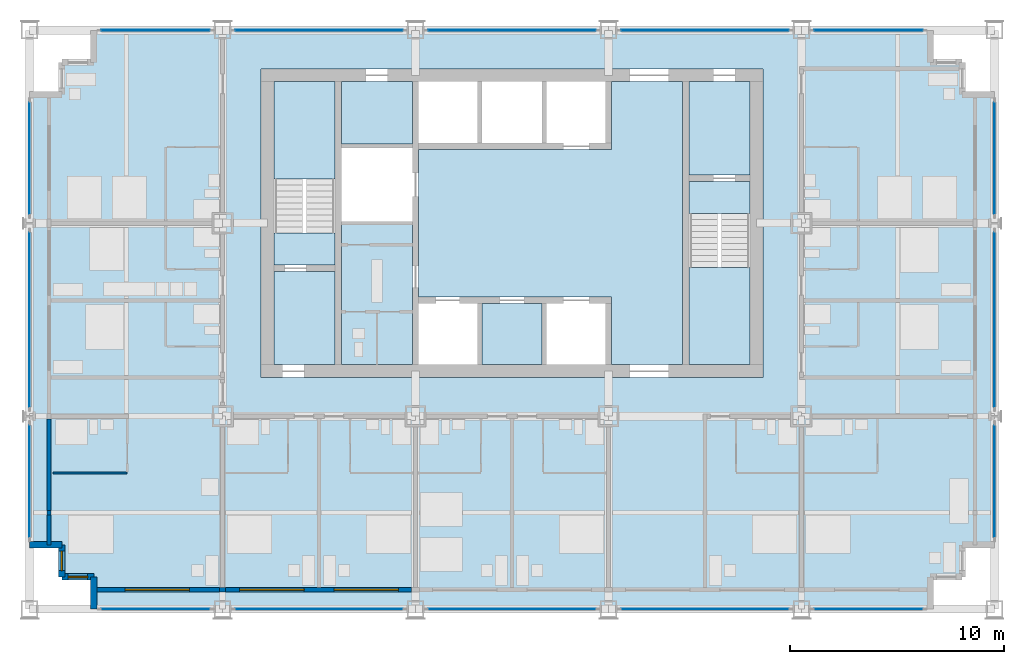
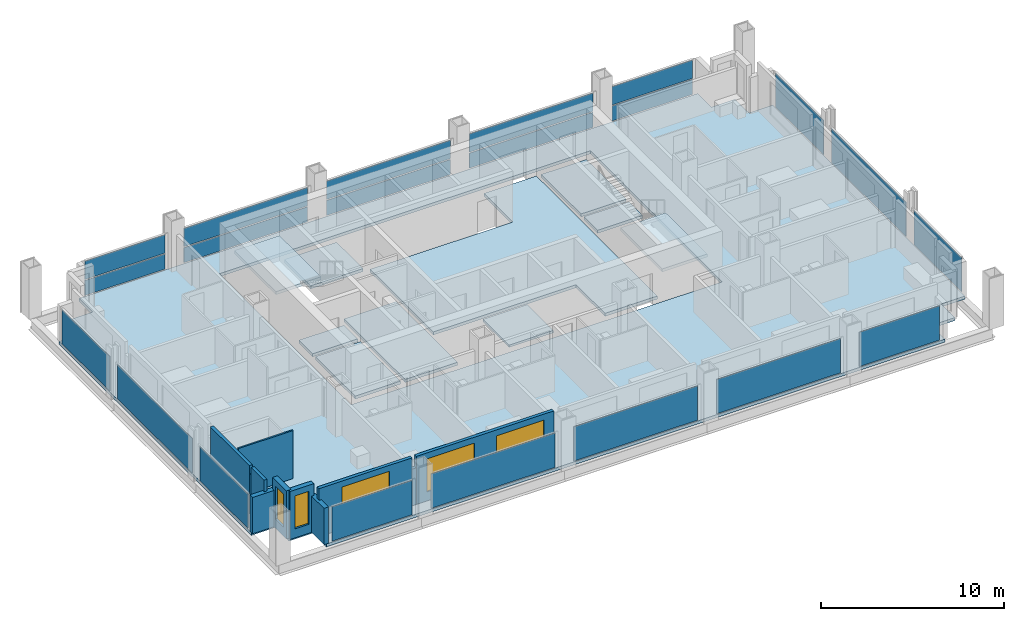
# One storey, part 6 of 13: 21 plates, 11 slabs, 11 walls, 5 windows, 5 openings, 18 elements without a shape of their own.
"""IFC4 building model written with IfcOpenShell, lengths in metres."""

from ifc_helpers import new_model, si_unit, direction, frame, frame_2d, origin, origin_2d, place, context, subcontext, project, spatial, polyline, rectangle, outline, extrude, material, layer, layer_set, type_object, element, fill, aggregate, save


model = new_model("IFC4")

# Units and contexts
model_context = context("Model", 3, precision=1e-05, world=origin(), true_north=direction((0.0, 1.0)))
body_context = subcontext(model_context, "Body", "Model", "MODEL_VIEW")
ifc_project = project(units=[si_unit("LENGTHUNIT", "METRE"), si_unit("AREAUNIT", "SQUARE_METRE"), si_unit("VOLUMEUNIT", "CUBIC_METRE"), si_unit("PLANEANGLEUNIT", "RADIAN"), si_unit("MASSUNIT", "GRAM", prefix="KILO")], contexts=[model_context])

# Site, building, storey
site_placement = place(None, origin())
site = spatial("IfcSite", under=ifc_project, at=site_placement, CompositionType="ELEMENT")
building_placement = place(site_placement, origin())
building = spatial("IfcBuilding", under=site, at=building_placement, Name="Loomwork Tower", CompositionType="ELEMENT")
storey_placement = place(building_placement, frame((0.0, 0.0, 163.800048828125)))
storey = spatial("IfcBuildingStorey", under=building, at=storey_placement, Name="L44", CompositionType="ELEMENT", Elevation=163.800048828125)

# Slabs
ifc_material_1 = material(Name="Concrete 5000 psi (34 MPa) on composite metal deck", Category="concrete")
ifc_layer_1 = layer(ifc_material_1, 0.199951171875)
ifc_layer_set_1 = layer_set([ifc_layer_1], Name="Floor slab 200")
slab_type_1 = type_object("IfcSlabType", Name="Floor slab 200", PredefinedType="FLOOR", material=ifc_layer_set_1)
slab_1_placement = place(storey_placement, frame((0.0, 0.0, -0.199951171875)))
element("IfcSlab", 1, at=slab_1_placement, inside=storey, type_object=slab_type_1, Name="Floor slab L44", PredefinedType="FLOOR", context=body_context, shape_type="SweptSolid", body=[
    extrude(outline(polyline([(3.0, 1.5), (1.5, 1.5), (1.5, 3.0), (0.0, 3.0), (0.0, 24.0), (1.5, 24.0), (1.5, 25.5), (3.0, 25.5), (3.0, 27.0), (42.0, 27.0), (42.0, 25.5), (43.5, 25.5), (43.5, 24.0), (45.0, 24.0), (45.0, 3.0), (43.5, 3.0), (43.5, 1.5), (42.0, 1.5), (42.0, 0.0), (3.0, 0.0), (3.0, 1.5)]), holes=[polyline([(10.800048828125, 11.39990234375), (10.800048828125, 11.39990234375), (10.800048828125, 10.800048828125), (34.199951171875, 10.800048828125), (34.199951171875, 11.39990234375), (34.199951171875, 11.39990234375), (34.199951171875, 24.60009765625), (34.199951171875, 25.199951171875), (10.800048828125, 25.199951171875), (10.800048828125, 24.60009765625), (10.800048828125, 11.39990234375)])]), origin(), (0.0, 0.0, 1.0), 0.199951171875),
])
slab_2_placement = place(storey_placement, frame((0.0, 0.0, -0.199951171875)))
element("IfcSlab", 2, at=slab_2_placement, inside=storey, type_object=slab_type_1, Name="Floor slab L44", PredefinedType="FLOOR", context=body_context, shape_type="SweptSolid", body=[
    extrude(outline(polyline([(30.449951171875, 24.60009765625), (30.449951171875, 11.39990234375), (27.14990234375, 11.39990234375), (27.14990234375, 14.25), (27.14990234375, 14.550048828125), (18.14990234375, 14.550048828125), (18.14990234375, 21.449951171875), (27.14990234375, 21.449951171875), (27.14990234375, 21.75), (27.14990234375, 24.60009765625), (30.449951171875, 24.60009765625)])), origin(), (0.0, 0.0, 1.0), 0.199951171875),
])
slab_3_placement = place(storey_placement, frame((0.0, 0.0, -0.199951171875)))
element("IfcSlab", 3, at=slab_3_placement, inside=storey, type_object=slab_type_1, Name="Floor slab L44", PredefinedType="FLOOR", context=body_context, shape_type="SweptSolid", body=[
    extrude(outline(polyline([(14.550048828125, 11.39990234375), (14.550048828125, 18.074951171875), (17.85009765625, 18.074951171875), (17.85009765625, 11.39990234375), (14.550048828125, 11.39990234375)])), origin(), (0.0, 0.0, 1.0), 0.199951171875),
])
slab_4_placement = place(storey_placement, frame((0.0, 0.0, -0.199951171875)))
element("IfcSlab", 4, at=slab_4_placement, inside=storey, type_object=slab_type_1, Name="Floor slab L44", PredefinedType="FLOOR", context=body_context, shape_type="SweptSolid", body=[
    extrude(outline(polyline([(33.60009765625, 20.25), (30.75, 20.25), (30.75, 24.60009765625), (33.60009765625, 24.60009765625), (33.60009765625, 20.25)])), origin(), (0.0, 0.0, 1.0), 0.199951171875),
])
slab_5_placement = place(storey_placement, frame((0.0, 0.0, -0.199951171875)))
element("IfcSlab", 5, at=slab_5_placement, inside=storey, type_object=slab_type_1, Name="Floor slab L44", PredefinedType="FLOOR", context=body_context, shape_type="SweptSolid", body=[
    extrude(outline(polyline([(14.25, 15.75), (14.25, 11.39990234375), (11.39990234375, 11.39990234375), (11.39990234375, 15.75), (14.25, 15.75)])), origin(), (0.0, 0.0, 1.0), 0.199951171875),
])
slab_6_placement = place(storey_placement, frame((0.0, 0.0, -0.199951171875)))
element("IfcSlab", 6, at=slab_6_placement, inside=storey, type_object=slab_type_1, Name="Floor slab L44", PredefinedType="FLOOR", context=body_context, shape_type="SweptSolid", body=[
    extrude(outline(polyline([(14.550048828125, 21.699951171875), (14.550048828125, 24.60009765625), (17.85009765625, 24.60009765625), (17.85009765625, 21.699951171875), (14.550048828125, 21.699951171875)])), origin(), (0.0, 0.0, 1.0), 0.199951171875),
])

# Curtain wall, plate
ifc_material_2 = material(Name="Aluminium curtain wall frame", Category="aluminium")
curtain_wall_type_1 = type_object("IfcCurtainWallType", Name="Outer skin glazing hotel", PredefinedType="NOTDEFINED", material=ifc_material_2)
curtain_wall_1_placement = place(storey_placement, origin())
curtain_wall_1 = element("IfcCurtainWall", 7, at=curtain_wall_1_placement, inside=storey, type_object=curtain_wall_type_1, Name="Outer skin glazing hotel cw/S-0", PredefinedType="NOTDEFINED")
ifc_material_3 = material(Name="Clear laminated glass", Category="glass")
ifc_layer_2 = layer(ifc_material_3, 0.02392578125)
ifc_layer_set_2 = layer_set([ifc_layer_2], Name="Outer skin glazing hotel panel")
plate_type_1 = type_object("IfcPlateType", Name="Outer skin glazing hotel panel", PredefinedType="CURTAIN_PANEL", material=ifc_layer_set_2)
plate_1_placement = place(storey_placement, frame((5.875, 0.0, 0.06494140625), z_axis=(0.0, 0.0, 1.0), x_axis=(1.0, 0.0, 0.0)))
plate_1 = element("IfcPlate", 8, at=plate_1_placement, type_object=plate_type_1, Name="CW1 panel 1.1", PredefinedType="CURTAIN_PANEL", context=body_context, shape_type="SweptSolid", body=[
    extrude(rectangle(XDim=5.050048828125, YDim=0.02392578125, at=origin_2d()), origin(), (0.0, 0.0, 1.0), 2.290283203125),
])
aggregate(curtain_wall_1, [plate_1])

curtain_wall_2_placement = place(storey_placement, origin())
curtain_wall_2 = element("IfcCurtainWall", 9, at=curtain_wall_2_placement, inside=storey, type_object=curtain_wall_type_1, Name="Outer skin glazing hotel cw/S-9", PredefinedType="NOTDEFINED")
plate_2_placement = place(storey_placement, frame((13.5, 0.0, 0.06494140625), z_axis=(0.0, 0.0, 1.0), x_axis=(1.0, 0.0, 0.0)))
plate_2 = element("IfcPlate", 10, at=plate_2_placement, type_object=plate_type_1, Name="CW1 panel 1.1", PredefinedType="CURTAIN_PANEL", context=body_context, shape_type="SweptSolid", body=[
    extrude(rectangle(XDim=7.800048828125, YDim=0.02392578125, at=origin_2d()), origin(), (0.0, 0.0, 1.0), 2.290283203125),
])
aggregate(curtain_wall_2, [plate_2])

curtain_wall_3_placement = place(storey_placement, origin())
curtain_wall_3 = element("IfcCurtainWall", 11, at=curtain_wall_3_placement, inside=storey, type_object=curtain_wall_type_1, Name="Outer skin glazing hotel cw/S-18", PredefinedType="NOTDEFINED")
plate_3_placement = place(storey_placement, frame((22.5, 0.0, 0.06494140625), z_axis=(0.0, 0.0, 1.0), x_axis=(1.0, 0.0, 0.0)))
plate_3 = element("IfcPlate", 12, at=plate_3_placement, type_object=plate_type_1, Name="CW1 panel 1.1", PredefinedType="CURTAIN_PANEL", context=body_context, shape_type="SweptSolid", body=[
    extrude(rectangle(XDim=7.800048828125, YDim=0.02392578125, at=origin_2d()), origin(), (0.0, 0.0, 1.0), 2.290283203125),
])
aggregate(curtain_wall_3, [plate_3])

curtain_wall_4_placement = place(storey_placement, origin())
curtain_wall_4 = element("IfcCurtainWall", 13, at=curtain_wall_4_placement, inside=storey, type_object=curtain_wall_type_1, Name="Outer skin glazing hotel cw/S-27", PredefinedType="NOTDEFINED")
plate_4_placement = place(storey_placement, frame((31.5, 0.0, 0.06494140625), z_axis=(0.0, 0.0, 1.0), x_axis=(1.0, 0.0, 0.0)))
plate_4 = element("IfcPlate", 14, at=plate_4_placement, type_object=plate_type_1, Name="CW1 panel 1.1", PredefinedType="CURTAIN_PANEL", context=body_context, shape_type="SweptSolid", body=[
    extrude(rectangle(XDim=7.800048828125, YDim=0.02392578125, at=origin_2d()), origin(), (0.0, 0.0, 1.0), 2.290283203125),
])
aggregate(curtain_wall_4, [plate_4])

curtain_wall_5_placement = place(storey_placement, origin())
curtain_wall_5 = element("IfcCurtainWall", 15, at=curtain_wall_5_placement, inside=storey, type_object=curtain_wall_type_1, Name="Outer skin glazing hotel cw/S-36", PredefinedType="NOTDEFINED")
plate_5_placement = place(storey_placement, frame((39.125, 0.0, 0.06494140625), z_axis=(0.0, 0.0, 1.0), x_axis=(1.0, 0.0, 0.0)))
plate_5 = element("IfcPlate", 16, at=plate_5_placement, type_object=plate_type_1, Name="CW1 panel 1.1", PredefinedType="CURTAIN_PANEL", context=body_context, shape_type="SweptSolid", body=[
    extrude(rectangle(XDim=5.050048828125, YDim=0.02392578125, at=origin_2d()), origin(), (0.0, 0.0, 1.0), 2.290283203125),
])
aggregate(curtain_wall_5, [plate_5])

curtain_wall_6_placement = place(storey_placement, origin())
curtain_wall_6 = element("IfcCurtainWall", 17, at=curtain_wall_6_placement, inside=storey, type_object=curtain_wall_type_1, Name="Outer skin glazing hotel cw/W-0", PredefinedType="NOTDEFINED")
plate_6_placement = place(storey_placement, frame((0.0, 5.962646484375, 0.06494140625), z_axis=(0.0, 0.0, 1.0), x_axis=(0.0, -1.0, 0.0)))
plate_6 = element("IfcPlate", 18, at=plate_6_placement, type_object=plate_type_1, Name="CW1 panel 1.1", PredefinedType="CURTAIN_PANEL", context=body_context, shape_type="SweptSolid", body=[
    extrude(rectangle(XDim=5.22509765625, YDim=0.02392578125, at=origin_2d()), origin(), (0.0, 0.0, 1.0), 2.290283203125),
])
aggregate(curtain_wall_6, [plate_6])

curtain_wall_7_placement = place(storey_placement, origin())
curtain_wall_7 = element("IfcCurtainWall", 19, at=curtain_wall_7_placement, inside=storey, type_object=curtain_wall_type_1, Name="Outer skin glazing hotel cw/W-9", PredefinedType="NOTDEFINED")
plate_7_placement = place(storey_placement, frame((0.0, 13.5, 0.06494140625), z_axis=(0.0, 0.0, 1.0), x_axis=(0.0, -1.0, 0.0)))
plate_7 = element("IfcPlate", 20, at=plate_7_placement, type_object=plate_type_1, Name="CW1 panel 1.1", PredefinedType="CURTAIN_PANEL", context=body_context, shape_type="SweptSolid", body=[
    extrude(rectangle(XDim=8.150390625, YDim=0.02392578125, at=origin_2d()), origin(), (0.0, 0.0, 1.0), 2.290283203125),
])
aggregate(curtain_wall_7, [plate_7])

curtain_wall_8_placement = place(storey_placement, origin())
curtain_wall_8 = element("IfcCurtainWall", 21, at=curtain_wall_8_placement, inside=storey, type_object=curtain_wall_type_1, Name="Outer skin glazing hotel cw/W-18", PredefinedType="NOTDEFINED")
plate_8_placement = place(storey_placement, frame((0.0, 21.037353515625, 0.06494140625), z_axis=(0.0, 0.0, 1.0), x_axis=(0.0, -1.0, 0.0)))
plate_8 = element("IfcPlate", 22, at=plate_8_placement, type_object=plate_type_1, Name="CW1 panel 1.1", PredefinedType="CURTAIN_PANEL", context=body_context, shape_type="SweptSolid", body=[
    extrude(rectangle(XDim=5.22509765625, YDim=0.02392578125, at=origin_2d()), origin(), (0.0, 0.0, 1.0), 2.290283203125),
])
aggregate(curtain_wall_8, [plate_8])

curtain_wall_9_placement = place(storey_placement, origin())
curtain_wall_9 = element("IfcCurtainWall", 23, at=curtain_wall_9_placement, inside=storey, type_object=curtain_wall_type_1, Name="Outer skin glazing hotel cw/E-0", PredefinedType="NOTDEFINED")
plate_9_placement = place(storey_placement, frame((45.0, 5.962646484375, 0.06494140625), z_axis=(0.0, 0.0, 1.0), x_axis=(0.0, 1.0, 0.0)))
plate_9 = element("IfcPlate", 24, at=plate_9_placement, type_object=plate_type_1, Name="CW1 panel 1.1", PredefinedType="CURTAIN_PANEL", context=body_context, shape_type="SweptSolid", body=[
    extrude(rectangle(XDim=5.22509765625, YDim=0.02392578125, at=origin_2d()), origin(), (0.0, 0.0, 1.0), 2.290283203125),
])
aggregate(curtain_wall_9, [plate_9])

curtain_wall_10_placement = place(storey_placement, origin())
curtain_wall_10 = element("IfcCurtainWall", 25, at=curtain_wall_10_placement, inside=storey, type_object=curtain_wall_type_1, Name="Outer skin glazing hotel cw/E-9", PredefinedType="NOTDEFINED")
plate_10_placement = place(storey_placement, frame((45.0, 13.5, 0.06494140625), z_axis=(0.0, 0.0, 1.0), x_axis=(0.0, 1.0, 0.0)))
plate_10 = element("IfcPlate", 26, at=plate_10_placement, type_object=plate_type_1, Name="CW1 panel 1.1", PredefinedType="CURTAIN_PANEL", context=body_context, shape_type="SweptSolid", body=[
    extrude(rectangle(XDim=8.150390625, YDim=0.02392578125, at=origin_2d()), origin(), (0.0, 0.0, 1.0), 2.290283203125),
])
aggregate(curtain_wall_10, [plate_10])

curtain_wall_11_placement = place(storey_placement, origin())
curtain_wall_11 = element("IfcCurtainWall", 27, at=curtain_wall_11_placement, inside=storey, type_object=curtain_wall_type_1, Name="Outer skin glazing hotel cw/E-18", PredefinedType="NOTDEFINED")
plate_11_placement = place(storey_placement, frame((45.0, 21.037353515625, 0.06494140625), z_axis=(0.0, 0.0, 1.0), x_axis=(0.0, 1.0, 0.0)))
plate_11 = element("IfcPlate", 28, at=plate_11_placement, type_object=plate_type_1, Name="CW1 panel 1.1", PredefinedType="CURTAIN_PANEL", context=body_context, shape_type="SweptSolid", body=[
    extrude(rectangle(XDim=5.22509765625, YDim=0.02392578125, at=origin_2d()), origin(), (0.0, 0.0, 1.0), 2.290283203125),
])
aggregate(curtain_wall_11, [plate_11])

# Slab
ifc_material_4 = material(Name="Concrete 5000 psi (34 MPa) on composite metal deck", Category="concrete")
ifc_layer_3 = layer(ifc_material_4, 0.14990234375)
ifc_layer_set_3 = layer_set([ifc_layer_3], Name="Shaft infill floor 150")
slab_type_2 = type_object("IfcSlabType", Name="Shaft infill floor 150", PredefinedType="FLOOR", material=ifc_layer_set_3)
slab_7_placement = place(storey_placement, frame((0.0, 0.0, -0.150146484375)))
element("IfcSlab", 29, at=slab_7_placement, inside=storey, type_object=slab_type_2, Name="Shaft infill floor S2 L44", PredefinedType="FLOOR", context=body_context, shape_type="SweptSolid", body=[
    extrude(outline(polyline([(21.10009765625, 11.39990234375), (23.89990234375, 11.39990234375), (23.89990234375, 14.25), (21.10009765625, 14.25), (21.10009765625, 11.39990234375)])), origin(), (0.0, 0.0, 1.0), 0.150146484375),
])

# Curtain wall, plates
ifc_material_5 = material(Name="Aluminium curtain wall frame", Category="aluminium")
curtain_wall_type_2 = type_object("IfcCurtainWallType", Name="Single skin glazing corridor", PredefinedType="NOTDEFINED", material=ifc_material_5)
curtain_wall_12_placement = place(storey_placement, origin())
curtain_wall_12 = element("IfcCurtainWall", 30, at=curtain_wall_12_placement, inside=storey, type_object=curtain_wall_type_2, Name="Single skin glazing corridor cw/N-0", PredefinedType="NOTDEFINED")
ifc_material_6 = material(Name="Clear insulated glass", Category="glass")
ifc_layer_4 = layer(ifc_material_6, 0.031982421875)
ifc_layer_set_4 = layer_set([ifc_layer_4], Name="Single skin glazing corridor panel")
plate_type_2 = type_object("IfcPlateType", Name="Single skin glazing corridor panel", PredefinedType="CURTAIN_PANEL", material=ifc_layer_set_4)
plate_12_placement = place(storey_placement, frame((5.875, 27.0, 0.06494140625), z_axis=(0.0, 0.0, 1.0), x_axis=(-1.0, 0.0, 0.0)))
plate_12 = element("IfcPlate", 31, at=plate_12_placement, type_object=plate_type_2, Name="CW3 panel 1.1", PredefinedType="CURTAIN_PANEL", context=body_context, shape_type="SweptSolid", body=[
    extrude(rectangle(XDim=5.050048828125, YDim=0.031982421875, at=origin_2d()), origin(), (0.0, 0.0, 1.0), 1.00244140625),
])
plate_13_placement = place(storey_placement, frame((5.875, 27.0, 1.132568359375), z_axis=(0.0, 0.0, 1.0), x_axis=(-1.0, 0.0, 0.0)))
plate_13 = element("IfcPlate", 32, at=plate_13_placement, type_object=plate_type_2, Name="CW3 panel 1.2", PredefinedType="CURTAIN_PANEL", context=body_context, shape_type="SweptSolid", body=[
    extrude(rectangle(XDim=5.050048828125, YDim=0.031982421875, at=origin_2d()), origin(), (0.0, 0.0, 1.0), 1.22265625),
])
aggregate(curtain_wall_12, [plate_12, plate_13])

curtain_wall_13_placement = place(storey_placement, origin())
curtain_wall_13 = element("IfcCurtainWall", 33, at=curtain_wall_13_placement, inside=storey, type_object=curtain_wall_type_2, Name="Single skin glazing corridor cw/N-9", PredefinedType="NOTDEFINED")
plate_14_placement = place(storey_placement, frame((13.5, 27.0, 0.06494140625), z_axis=(0.0, 0.0, 1.0), x_axis=(-1.0, 0.0, 0.0)))
plate_14 = element("IfcPlate", 34, at=plate_14_placement, type_object=plate_type_2, Name="CW3 panel 1.1", PredefinedType="CURTAIN_PANEL", context=body_context, shape_type="SweptSolid", body=[
    extrude(rectangle(XDim=7.800048828125, YDim=0.031982421875, at=origin_2d()), origin(), (0.0, 0.0, 1.0), 1.00244140625),
])
plate_15_placement = place(storey_placement, frame((13.5, 27.0, 1.132568359375), z_axis=(0.0, 0.0, 1.0), x_axis=(-1.0, 0.0, 0.0)))
plate_15 = element("IfcPlate", 35, at=plate_15_placement, type_object=plate_type_2, Name="CW3 panel 1.2", PredefinedType="CURTAIN_PANEL", context=body_context, shape_type="SweptSolid", body=[
    extrude(rectangle(XDim=7.800048828125, YDim=0.031982421875, at=origin_2d()), origin(), (0.0, 0.0, 1.0), 1.22265625),
])
aggregate(curtain_wall_13, [plate_14, plate_15])

curtain_wall_14_placement = place(storey_placement, origin())
curtain_wall_14 = element("IfcCurtainWall", 36, at=curtain_wall_14_placement, inside=storey, type_object=curtain_wall_type_2, Name="Single skin glazing corridor cw/N-18", PredefinedType="NOTDEFINED")
plate_16_placement = place(storey_placement, frame((22.5, 27.0, 0.06494140625), z_axis=(0.0, 0.0, 1.0), x_axis=(-1.0, 0.0, 0.0)))
plate_16 = element("IfcPlate", 37, at=plate_16_placement, type_object=plate_type_2, Name="CW3 panel 1.1", PredefinedType="CURTAIN_PANEL", context=body_context, shape_type="SweptSolid", body=[
    extrude(rectangle(XDim=7.800048828125, YDim=0.031982421875, at=origin_2d()), origin(), (0.0, 0.0, 1.0), 1.00244140625),
])
plate_17_placement = place(storey_placement, frame((22.5, 27.0, 1.132568359375), z_axis=(0.0, 0.0, 1.0), x_axis=(-1.0, 0.0, 0.0)))
plate_17 = element("IfcPlate", 38, at=plate_17_placement, type_object=plate_type_2, Name="CW3 panel 1.2", PredefinedType="CURTAIN_PANEL", context=body_context, shape_type="SweptSolid", body=[
    extrude(rectangle(XDim=7.800048828125, YDim=0.031982421875, at=origin_2d()), origin(), (0.0, 0.0, 1.0), 1.22265625),
])
aggregate(curtain_wall_14, [plate_16, plate_17])

curtain_wall_15_placement = place(storey_placement, origin())
curtain_wall_15 = element("IfcCurtainWall", 39, at=curtain_wall_15_placement, inside=storey, type_object=curtain_wall_type_2, Name="Single skin glazing corridor cw/N-27", PredefinedType="NOTDEFINED")
plate_18_placement = place(storey_placement, frame((31.5, 27.0, 0.06494140625), z_axis=(0.0, 0.0, 1.0), x_axis=(-1.0, 0.0, 0.0)))
plate_18 = element("IfcPlate", 40, at=plate_18_placement, type_object=plate_type_2, Name="CW3 panel 1.1", PredefinedType="CURTAIN_PANEL", context=body_context, shape_type="SweptSolid", body=[
    extrude(rectangle(XDim=7.800048828125, YDim=0.031982421875, at=origin_2d()), origin(), (0.0, 0.0, 1.0), 1.00244140625),
])
plate_19_placement = place(storey_placement, frame((31.5, 27.0, 1.132568359375), z_axis=(0.0, 0.0, 1.0), x_axis=(-1.0, 0.0, 0.0)))
plate_19 = element("IfcPlate", 41, at=plate_19_placement, type_object=plate_type_2, Name="CW3 panel 1.2", PredefinedType="CURTAIN_PANEL", context=body_context, shape_type="SweptSolid", body=[
    extrude(rectangle(XDim=7.800048828125, YDim=0.031982421875, at=origin_2d()), origin(), (0.0, 0.0, 1.0), 1.22265625),
])
aggregate(curtain_wall_15, [plate_18, plate_19])

curtain_wall_16_placement = place(storey_placement, origin())
curtain_wall_16 = element("IfcCurtainWall", 42, at=curtain_wall_16_placement, inside=storey, type_object=curtain_wall_type_2, Name="Single skin glazing corridor cw/N-36", PredefinedType="NOTDEFINED")
plate_20_placement = place(storey_placement, frame((39.125, 27.0, 0.06494140625), z_axis=(0.0, 0.0, 1.0), x_axis=(-1.0, 0.0, 0.0)))
plate_20 = element("IfcPlate", 43, at=plate_20_placement, type_object=plate_type_2, Name="CW3 panel 1.1", PredefinedType="CURTAIN_PANEL", context=body_context, shape_type="SweptSolid", body=[
    extrude(rectangle(XDim=5.050048828125, YDim=0.031982421875, at=origin_2d()), origin(), (0.0, 0.0, 1.0), 1.00244140625),
])
plate_21_placement = place(storey_placement, frame((39.125, 27.0, 1.132568359375), z_axis=(0.0, 0.0, 1.0), x_axis=(-1.0, 0.0, 0.0)))
plate_21 = element("IfcPlate", 44, at=plate_21_placement, type_object=plate_type_2, Name="CW3 panel 1.2", PredefinedType="CURTAIN_PANEL", context=body_context, shape_type="SweptSolid", body=[
    extrude(rectangle(XDim=5.050048828125, YDim=0.031982421875, at=origin_2d()), origin(), (0.0, 0.0, 1.0), 1.22265625),
])
aggregate(curtain_wall_16, [plate_20, plate_21])

# Stair, slabs
ifc_material_7 = material(Name="Concrete 5000 psi (34 MPa) precast stair", Category="concrete")
stair_type_1 = type_object("IfcStairType", Name="Stair ST-A 20 risers 2850 wide", PredefinedType="HALF_TURN_STAIR", material=ifc_material_7)
stair_1_placement = place(storey_placement, origin())
stair_1 = element("IfcStair", 45, at=stair_1_placement, inside=storey, type_object=stair_type_1, Name="Stair A L44", PredefinedType="HALF_TURN_STAIR")
ifc_material_8 = material(Name="Concrete 5000 psi (34 MPa)", Category="concrete")
ifc_layer_5 = layer(ifc_material_8, 0.199951171875)
ifc_layer_set_5 = layer_set([ifc_layer_5], Name="Stair landing 200")
slab_type_3 = type_object("IfcSlabType", Name="Stair landing 200", PredefinedType="LANDING", material=ifc_layer_set_5)
slab_8_placement = place(storey_placement, frame((0.0, 0.0, -0.199951171875)))
slab_8 = element("IfcSlab", 46, at=slab_8_placement, type_object=slab_type_3, Name="ST-A landing 1", PredefinedType="LANDING", context=body_context, shape_type="SweptSolid", body=[
    extrude(outline(polyline([(11.39990234375, 16.050048828125), (14.25, 16.050048828125), (14.25, 17.550048828125), (11.39990234375, 17.550048828125), (11.39990234375, 16.050048828125)])), origin(), (0.0, 0.0, 1.0), 0.199951171875),
])
slab_9_placement = place(storey_placement, frame((0.0, 0.0, 1.5)))
slab_9 = element("IfcSlab", 47, at=slab_9_placement, type_object=slab_type_3, Name="ST-A landing 2", PredefinedType="LANDING", context=body_context, shape_type="SweptSolid", body=[
    extrude(outline(polyline([(11.39990234375, 20.070068359375), (14.25, 20.070068359375), (14.25, 24.60009765625), (11.39990234375, 24.60009765625), (11.39990234375, 20.070068359375)])), origin(), (0.0, 0.0, 1.0), 0.199951171875),
])
aggregate(stair_1, [slab_8, slab_9])

ifc_material_9 = material(Name="Concrete 5000 psi (34 MPa) precast stair", Category="concrete")
stair_type_2 = type_object("IfcStairType", Name="Stair ST-B 20 risers 2850 wide", PredefinedType="HALF_TURN_STAIR", material=ifc_material_9)
stair_2_placement = place(storey_placement, origin())
stair_2 = element("IfcStair", 48, at=stair_2_placement, inside=storey, type_object=stair_type_2, Name="Stair B L44", PredefinedType="HALF_TURN_STAIR")
slab_10_placement = place(storey_placement, frame((0.0, 0.0, -0.199951171875)))
slab_10 = element("IfcSlab", 49, at=slab_10_placement, type_object=slab_type_3, Name="ST-B landing 1", PredefinedType="LANDING", context=body_context, shape_type="SweptSolid", body=[
    extrude(outline(polyline([(30.75, 18.449951171875), (33.60009765625, 18.449951171875), (33.60009765625, 19.949951171875), (30.75, 19.949951171875), (30.75, 18.449951171875)])), origin(), (0.0, 0.0, 1.0), 0.199951171875),
])
slab_11_placement = place(storey_placement, frame((0.0, 0.0, 1.5)))
slab_11 = element("IfcSlab", 50, at=slab_11_placement, type_object=slab_type_3, Name="ST-B landing 2", PredefinedType="LANDING", context=body_context, shape_type="SweptSolid", body=[
    extrude(outline(polyline([(30.75, 11.39990234375), (33.60009765625, 11.39990234375), (33.60009765625, 15.929931640625), (30.75, 15.929931640625), (30.75, 11.39990234375)])), origin(), (0.0, 0.0, 1.0), 0.199951171875),
])
aggregate(stair_2, [slab_10, slab_11])

# Wall
ifc_material_10 = material(Name="Cement board on steel studs", Category="steel")
ifc_layer_6 = layer(ifc_material_10, 0.10009765625)
ifc_layer_set_6 = layer_set([ifc_layer_6], Name="En-suite partition 100")
wall_type_1 = type_object("IfcWallType", Name="En-suite partition 100", PredefinedType="PARTITIONING", material=ifc_layer_set_6)
wall_1_placement = place(storey_placement, frame((1.10009765625, 6.35009765625, 0.0), z_axis=(0.0, 0.0, 1.0), x_axis=(1.0, 0.0, 0.0)))
element("IfcWall", 51, at=wall_1_placement, inside=storey, type_object=wall_type_1, Name="En-suite wall L44 room 1", PredefinedType="PARTITIONING", context=body_context, shape_type="SweptSolid", body=[
    extrude(rectangle(XDim=3.449951171875, YDim=0.10009765625, at=frame_2d((1.72509765625, 0.0))), origin(), (0.0, 0.0, 1.0), 3.199951171875),
])

# Wall, opening, window
ifc_material_11 = material(Name="Insulated steel stud wall with gypsum lining", Category="steel")
ifc_layer_7 = layer(ifc_material_11, 0.199951171875)
ifc_layer_set_7 = layer_set([ifc_layer_7], Name="Inner skin wall 200")
wall_type_2 = type_object("IfcWallType", Name="Inner skin wall 200", PredefinedType="SOLIDWALL", material=ifc_layer_set_7)
wall_2_placement = place(storey_placement, frame((3.0, 0.89990234375, 0.0), z_axis=(0.0, 0.0, 1.0), x_axis=(1.0, 0.0, 0.0)))
wall_2 = element("IfcWall", 52, at=wall_2_placement, inside=storey, type_object=wall_type_2, Name="Inner skin wall S", PredefinedType="SOLIDWALL", context=body_context, shape_type="SweptSolid", body=[
    extrude(rectangle(XDim=5.86474609375, YDim=0.199951171875, at=frame_2d((2.932373046875, 0.0))), origin(), (0.0, 0.0, 1.0), 3.199951171875),
])
opening_1_placement = place(wall_2_placement, frame((1.449951171875, 0.0, 0.60009765625)))
opening_1 = element("IfcOpeningElement", 53, at=opening_1_placement, cuts=wall_2, Name="Opening CH1", PredefinedType="OPENING", context=body_context, shape_type="SweptSolid", body=[
    extrude(rectangle(XDim=3.0, YDim=2.199951171875, at=frame_2d((1.5, 1.10009765625))), frame((0.0, 0.10986328125, 0.0), z_axis=(0.0, -1.0, 0.0), x_axis=(1.0, 0.0, 0.0)), (0.0, 0.0, 1.0), 0.219970703125),
])
ifc_material_12 = material(Name="Aluminium frame with clear insulated glass", Category="aluminium")
window_type_1 = type_object("IfcWindowType", Name="Chicago window 3000", PartitioningType="TRIPLE_PANEL_VERTICAL", PredefinedType="WINDOW", material=ifc_material_12)
window_1_placement = place(opening_1_placement, origin())
window_1 = element("IfcWindow", 54, at=window_1_placement, inside=storey, type_object=window_type_1, Name="Chicago window L44 bay 1", OverallHeight=2.199951171875, OverallWidth=3.0, PartitioningType="TRIPLE_PANEL_VERTICAL", PredefinedType="WINDOW", context=body_context, shape_type="SweptSolid", body=[
    extrude(rectangle(XDim=3.0, YDim=2.199951171875, at=frame_2d((1.5, 1.10009765625))), frame((0.0, 0.030029296875, 0.0), z_axis=(0.0, -1.0, 0.0), x_axis=(1.0, 0.0, 0.0)), (0.0, 0.0, 1.0), 0.06005859375),
])
fill(opening_1, window_1)

# Walls
wall_3_placement = place(storey_placement, frame((0.89990234375, 3.0, 0.0), z_axis=(0.0, 0.0, 1.0), x_axis=(0.0, 1.0, 0.0)))
element("IfcWall", 55, at=wall_3_placement, inside=storey, type_object=wall_type_2, Name="Inner skin wall W", PredefinedType="SOLIDWALL", context=body_context, shape_type="SweptSolid", body=[
    extrude(rectangle(XDim=1.392578125, YDim=0.199951171875, at=frame_2d((0.6962890625, 0.0))), origin(), (0.0, 0.0, 1.0), 3.199951171875),
])
wall_4_placement = place(storey_placement, frame((8.86474609375, 0.89990234375, 0.0), z_axis=(0.0, 0.0, 1.0), x_axis=(1.0, 0.0, 0.0)))
element("IfcWall", 56, at=wall_4_placement, inside=storey, type_object=wall_type_2, Name="Inner skin wall S bay 2", PredefinedType="SOLIDWALL", context=body_context, shape_type="SweptSolid", body=[
    extrude(rectangle(XDim=0.2705078125, YDim=0.199951171875, at=frame_2d((0.13525390625, 0.0))), origin(), (0.0, 0.0, 1.0), 2.43798828125),
])

# Wall, openings, windows
wall_5_placement = place(storey_placement, frame((9.13525390625, 0.89990234375, 0.0), z_axis=(0.0, 0.0, 1.0), x_axis=(1.0, 0.0, 0.0)))
wall_5 = element("IfcWall", 57, at=wall_5_placement, inside=storey, type_object=wall_type_2, Name="Inner skin wall S bay 3", PredefinedType="SOLIDWALL", context=body_context, shape_type="SweptSolid", body=[
    extrude(rectangle(XDim=8.6708984375, YDim=0.199951171875, at=frame_2d((4.33544921875, 0.0))), origin(), (0.0, 0.0, 1.0), 3.199951171875),
])
opening_2_placement = place(wall_5_placement, frame((0.664794921875, 0.0, 0.60009765625)))
opening_2 = element("IfcOpeningElement", 58, at=opening_2_placement, cuts=wall_5, Name="Opening CH1", PredefinedType="OPENING", context=body_context, shape_type="SweptSolid", body=[
    extrude(rectangle(XDim=3.0, YDim=2.199951171875, at=frame_2d((1.5, 1.10009765625))), frame((0.0, 0.10986328125, 0.0), z_axis=(0.0, -1.0, 0.0), x_axis=(1.0, 0.0, 0.0)), (0.0, 0.0, 1.0), 0.219970703125),
])
opening_3_placement = place(wall_5_placement, frame((5.064697265625, 0.0, 0.60009765625)))
opening_3 = element("IfcOpeningElement", 59, at=opening_3_placement, cuts=wall_5, Name="Opening CH1", PredefinedType="OPENING", context=body_context, shape_type="SweptSolid", body=[
    extrude(rectangle(XDim=3.0, YDim=2.199951171875, at=frame_2d((1.5, 1.10009765625))), frame((0.0, 0.10986328125, 0.0), z_axis=(0.0, -1.0, 0.0), x_axis=(1.0, 0.0, 0.0)), (0.0, 0.0, 1.0), 0.219970703125),
])
window_2_placement = place(opening_2_placement, origin())
window_2 = element("IfcWindow", 60, at=window_2_placement, inside=storey, type_object=window_type_1, Name="Chicago window L44 bay 2", OverallHeight=2.199951171875, OverallWidth=3.0, PartitioningType="TRIPLE_PANEL_VERTICAL", PredefinedType="WINDOW", context=body_context, shape_type="SweptSolid", body=[
    extrude(rectangle(XDim=3.0, YDim=2.199951171875, at=frame_2d((1.5, 1.10009765625))), frame((0.0, 0.030029296875, 0.0), z_axis=(0.0, -1.0, 0.0), x_axis=(1.0, 0.0, 0.0)), (0.0, 0.0, 1.0), 0.06005859375),
])
fill(opening_2, window_2)
window_3_placement = place(opening_3_placement, origin())
window_3 = element("IfcWindow", 61, at=window_3_placement, inside=storey, type_object=window_type_1, Name="Chicago window L44 bay 2", OverallHeight=2.199951171875, OverallWidth=3.0, PartitioningType="TRIPLE_PANEL_VERTICAL", PredefinedType="WINDOW", context=body_context, shape_type="SweptSolid", body=[
    extrude(rectangle(XDim=3.0, YDim=2.199951171875, at=frame_2d((1.5, 1.10009765625))), frame((0.0, 0.030029296875, 0.0), z_axis=(0.0, -1.0, 0.0), x_axis=(1.0, 0.0, 0.0)), (0.0, 0.0, 1.0), 0.06005859375),
])
fill(opening_3, window_3)

# Walls
wall_6_placement = place(storey_placement, frame((0.89990234375, 4.392578125, 0.0), z_axis=(0.0, 0.0, 1.0), x_axis=(0.0, 1.0, 0.0)))
element("IfcWall", 62, at=wall_6_placement, inside=storey, type_object=wall_type_2, Name="Inner skin wall W bay 2", PredefinedType="SOLIDWALL", context=body_context, shape_type="SweptSolid", body=[
    extrude(rectangle(XDim=0.21484375, YDim=0.199951171875, at=frame_2d((0.107421875, 0.0))), origin(), (0.0, 0.0, 1.0), 2.660888671875),
])
wall_7_placement = place(storey_placement, frame((0.89990234375, 4.607421875, 0.0), z_axis=(0.0, 0.0, 1.0), x_axis=(0.0, 1.0, 0.0)))
element("IfcWall", 63, at=wall_7_placement, inside=storey, type_object=wall_type_2, Name="Inner skin wall W bay 3", PredefinedType="SOLIDWALL", context=body_context, shape_type="SweptSolid", body=[
    extrude(rectangle(XDim=4.25732421875, YDim=0.199951171875, at=frame_2d((2.128662109375, 0.0))), origin(), (0.0, 0.0, 1.0), 3.199951171875),
])
ifc_material_13 = material(Name="Limestone on concrete masonry", Category="masonry")
ifc_layer_8 = layer(ifc_material_13, 0.300048828125)
ifc_layer_set_8 = layer_set([ifc_layer_8], Name="Limestone corner wall 300")
wall_type_3 = type_object("IfcWallType", Name="Limestone corner wall 300", PredefinedType="SOLIDWALL", material=ifc_layer_set_8)
wall_8_placement = place(storey_placement, frame((0.0, 3.0, 0.0), z_axis=(0.0, 0.0, 1.0), x_axis=(1.0, 0.0, 0.0)))
element("IfcWall", 64, at=wall_8_placement, inside=storey, type_object=wall_type_3, Name="Stone corner wall SW 1", PredefinedType="SOLIDWALL", context=body_context, shape_type="SweptSolid", body=[
    extrude(rectangle(XDim=1.5, YDim=0.300048828125, at=frame_2d((0.75, 0.0))), origin(), (0.0, 0.0, 1.0), 2.419921875),
])

# Wall, opening, window
wall_9_placement = place(storey_placement, frame((1.5, 3.0, 0.0), z_axis=(0.0, 0.0, 1.0), x_axis=(0.0, -1.0, 0.0)))
wall_9 = element("IfcWall", 65, at=wall_9_placement, inside=storey, type_object=wall_type_3, Name="Stone corner wall SW 2", PredefinedType="SOLIDWALL", context=body_context, shape_type="SweptSolid", body=[
    extrude(rectangle(XDim=1.5, YDim=0.300048828125, at=frame_2d((0.75, 0.0))), origin(), (0.0, 0.0, 1.0), 3.199951171875),
])
opening_4_placement = place(wall_9_placement, frame((0.300048828125, 0.0, 0.60009765625)))
opening_4 = element("IfcOpeningElement", 66, at=opening_4_placement, cuts=wall_9, Name="Opening CH2", PredefinedType="OPENING", context=body_context, shape_type="SweptSolid", body=[
    extrude(rectangle(XDim=0.89990234375, YDim=2.199951171875, at=frame_2d((0.449951171875, 1.10009765625))), frame((0.0, 0.159912109375, 0.0), z_axis=(0.0, -1.0, 0.0), x_axis=(1.0, 0.0, 0.0)), (0.0, 0.0, 1.0), 0.320068359375),
])
ifc_material_14 = material(Name="Aluminium frame with clear insulated glass", Category="aluminium")
window_type_2 = type_object("IfcWindowType", Name="Corner window 900", PartitioningType="SINGLE_PANEL", PredefinedType="WINDOW", material=ifc_material_14)
window_4_placement = place(opening_4_placement, origin())
window_4 = element("IfcWindow", 67, at=window_4_placement, inside=storey, type_object=window_type_2, Name="Corner window SW", OverallHeight=2.199951171875, OverallWidth=0.89990234375, PartitioningType="SINGLE_PANEL", PredefinedType="WINDOW", context=body_context, shape_type="SweptSolid", body=[
    extrude(rectangle(XDim=0.89990234375, YDim=2.199951171875, at=frame_2d((0.449951171875, 1.10009765625))), frame((0.0, 0.030029296875, 0.0), z_axis=(0.0, -1.0, 0.0), x_axis=(1.0, 0.0, 0.0)), (0.0, 0.0, 1.0), 0.06005859375),
])
fill(opening_4, window_4)

wall_10_placement = place(storey_placement, frame((1.5, 1.5, 0.0), z_axis=(0.0, 0.0, 1.0), x_axis=(1.0, 0.0, 0.0)))
wall_10 = element("IfcWall", 68, at=wall_10_placement, inside=storey, type_object=wall_type_3, Name="Stone corner wall SW 3", PredefinedType="SOLIDWALL", context=body_context, shape_type="SweptSolid", body=[
    extrude(rectangle(XDim=1.5, YDim=0.300048828125, at=frame_2d((0.75, 0.0))), origin(), (0.0, 0.0, 1.0), 3.199951171875),
])
opening_5_placement = place(wall_10_placement, frame((0.300048828125, 0.0, 0.60009765625)))
opening_5 = element("IfcOpeningElement", 69, at=opening_5_placement, cuts=wall_10, Name="Opening CH2", PredefinedType="OPENING", context=body_context, shape_type="SweptSolid", body=[
    extrude(rectangle(XDim=0.89990234375, YDim=2.199951171875, at=frame_2d((0.449951171875, 1.10009765625))), frame((0.0, 0.159912109375, 0.0), z_axis=(0.0, -1.0, 0.0), x_axis=(1.0, 0.0, 0.0)), (0.0, 0.0, 1.0), 0.320068359375),
])
window_5_placement = place(opening_5_placement, origin())
window_5 = element("IfcWindow", 70, at=window_5_placement, inside=storey, type_object=window_type_2, Name="Corner window SW", OverallHeight=2.199951171875, OverallWidth=0.89990234375, PartitioningType="SINGLE_PANEL", PredefinedType="WINDOW", context=body_context, shape_type="SweptSolid", body=[
    extrude(rectangle(XDim=0.89990234375, YDim=2.199951171875, at=frame_2d((0.449951171875, 1.10009765625))), frame((0.0, 0.030029296875, 0.0), z_axis=(0.0, -1.0, 0.0), x_axis=(1.0, 0.0, 0.0)), (0.0, 0.0, 1.0), 0.06005859375),
])
fill(opening_5, window_5)

# Wall
wall_11_placement = place(storey_placement, frame((3.0, 1.5, 0.0), z_axis=(0.0, 0.0, 1.0), x_axis=(0.0, -1.0, 0.0)))
element("IfcWall", 71, at=wall_11_placement, inside=storey, type_object=wall_type_3, Name="Stone corner wall SW 4", PredefinedType="SOLIDWALL", context=body_context, shape_type="SweptSolid", body=[
    extrude(rectangle(XDim=1.5, YDim=0.300048828125, at=frame_2d((0.75, 0.0))), origin(), (0.0, 0.0, 1.0), 2.419921875),
])

save(model, "model.ifc")
